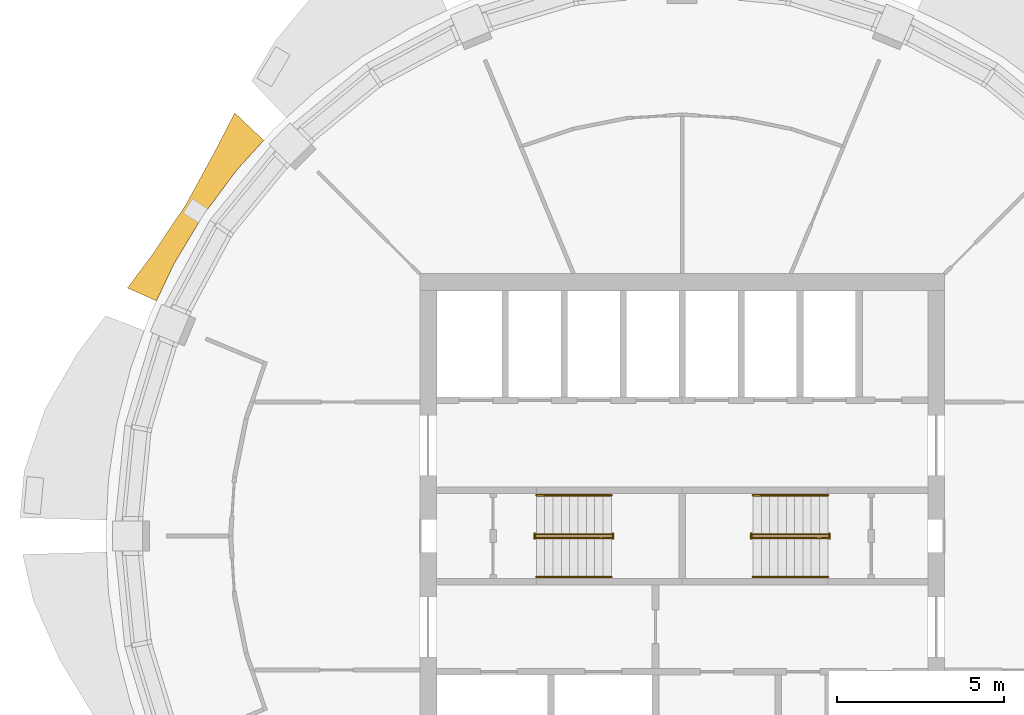
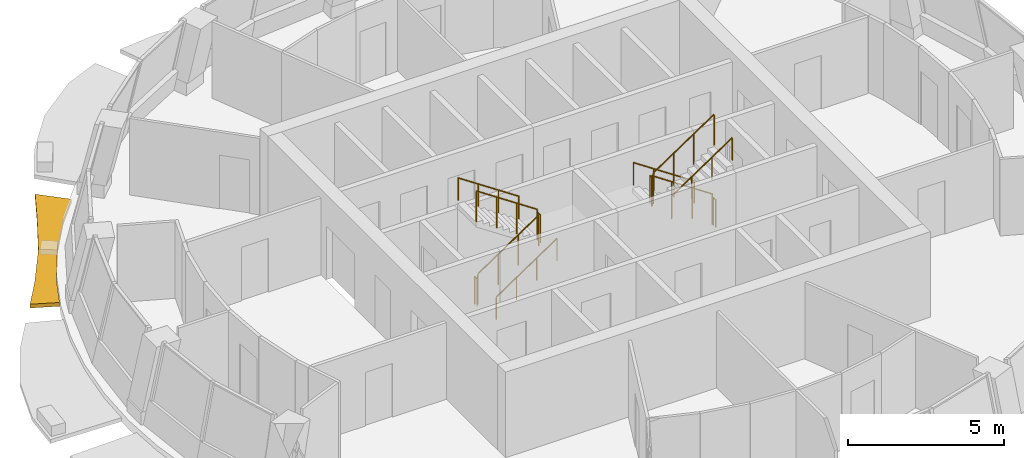
# One storey, part 9 of 11: 12 railings, 1 shading device.
"""IFC4 building model written with IfcOpenShell, lengths in metres."""

from ifc_helpers import new_model, si_unit, direction, frame, origin, origin_2d, place, context, subcontext, project, spatial, polyline, circle, outline, extrude, material, type_object, element, save


model = new_model("IFC4")

# Units and contexts
model_context = context("Model", 3, precision=1e-05, world=origin(), true_north=direction((0.0, 1.0)))
body_context = subcontext(model_context, "Body", "Model", "MODEL_VIEW")
ifc_project = project(units=[si_unit("LENGTHUNIT", "METRE"), si_unit("AREAUNIT", "SQUARE_METRE"), si_unit("VOLUMEUNIT", "CUBIC_METRE"), si_unit("PLANEANGLEUNIT", "RADIAN"), si_unit("MASSUNIT", "GRAM", prefix="KILO")], contexts=[model_context])

# Site, building, storey
site_placement = place(None, origin())
site = spatial("IfcSite", under=ifc_project, at=site_placement, CompositionType="ELEMENT")
building_placement = place(site_placement, origin())
building = spatial("IfcBuilding", under=site, at=building_placement, Name="Polderwave Tower", CompositionType="ELEMENT")
storey_placement = place(building_placement, frame((0.0, 0.0, 204.39990234375)))
storey = spatial("IfcBuildingStorey", under=building, at=storey_placement, Name="L55", CompositionType="ELEMENT", Elevation=204.39990234375)

# Railings
ifc_material_1 = material(Name="Stainless steel", Category="steel")
railing_type_1 = type_object("IfcRailingType", Name="Stair guard 1100", PredefinedType="GUARDRAIL", material=ifc_material_1)
railing_1_placement = place(storey_placement, frame((-4.3740234375, -0.051025390625, 0.04736328125)))
element("IfcRailing", 1, at=railing_1_placement, inside=storey, type_object=railing_type_1, Name="L55 ST-A stair guard 1", PredefinedType="GUARDRAIL", context=body_context, shape_type="SweptSolid", body=[
    extrude(circle(Radius=0.02392578125, at=origin_2d()), frame((0.0, 0.0, 1.1962890625), z_axis=(0.830758306289, 0.0, 0.556633305266), x_axis=(0.0, 1.0, 0.0)), (0.0, 0.0, 1.0), 2.708251953125),
    extrude(circle(Radius=0.02392578125, at=origin_2d()), origin(), (0.0, 0.0, 1.0), 1.172119140625),
    extrude(circle(Radius=0.02392578125, at=origin_2d()), frame((0.75, 0.0, 0.50244140625)), (0.0, 0.0, 1.0), 1.172119140625),
    extrude(circle(Radius=0.02392578125, at=origin_2d()), frame((1.5, 0.0, 1.005126953125)), (0.0, 0.0, 1.0), 1.172119140625),
    extrude(circle(Radius=0.02392578125, at=origin_2d()), frame((2.25, 0.0, 1.507568359375)), (0.0, 0.0, 1.0), 1.172119140625),
])
railing_2_placement = place(storey_placement, frame((-2.073974609375, -0.074951171875, 1.675048828125)))
element("IfcRailing", 2, at=railing_2_placement, inside=storey, type_object=railing_type_1, Name="L55 ST-A stair guard 2", PredefinedType="GUARDRAIL", context=body_context, shape_type="SweptSolid", body=[
    extrude(circle(Radius=0.02392578125, at=origin_2d()), frame((0.0, 0.0, 1.076171875), z_axis=(0.0, 1.0, 0.0), x_axis=(-1.0, 0.0, 0.0)), (0.0, 0.0, 1.0), 0.14990234375),
    extrude(circle(Radius=0.02099609375, at=origin_2d()), origin(), (0.0, 0.0, 1.0), 1.052001953125),
    extrude(circle(Radius=0.02099609375, at=origin_2d()), frame((0.0, 0.14990234375, 0.0)), (0.0, 0.0, 1.0), 1.052001953125),
])
railing_3_placement = place(storey_placement, frame((-2.1240234375, 0.051025390625, 1.722412109375)))
element("IfcRailing", 3, at=railing_3_placement, inside=storey, type_object=railing_type_1, Name="L55 ST-A stair guard 3", PredefinedType="GUARDRAIL", context=body_context, shape_type="SweptSolid", body=[
    extrude(circle(Radius=0.02392578125, at=origin_2d()), frame((0.0, 0.0, 1.1962890625), z_axis=(-0.830758306289, 0.0, 0.556633305266), x_axis=(0.0, -1.0, 0.0)), (0.0, 0.0, 1.0), 2.708251953125),
    extrude(circle(Radius=0.02392578125, at=origin_2d()), origin(), (0.0, 0.0, 1.0), 1.172119140625),
    extrude(circle(Radius=0.02392578125, at=origin_2d()), frame((-0.75, 0.0, 0.50244140625)), (0.0, 0.0, 1.0), 1.172119140625),
    extrude(circle(Radius=0.02392578125, at=origin_2d()), frame((-1.5, 0.0, 1.005126953125)), (0.0, 0.0, 1.0), 1.172119140625),
    extrude(circle(Radius=0.02392578125, at=origin_2d()), frame((-2.25, 0.0, 1.507568359375)), (0.0, 0.0, 1.0), 1.172119140625),
])
railing_4_placement = place(storey_placement, frame((-4.424072265625, -0.074951171875, 0.0)))
element("IfcRailing", 4, at=railing_4_placement, inside=storey, type_object=railing_type_1, Name="L55 ST-A stair guard 4", PredefinedType="GUARDRAIL", context=body_context, shape_type="SweptSolid", body=[
    extrude(circle(Radius=0.02392578125, at=origin_2d()), frame((0.0, 0.0, 1.076171875), z_axis=(0.0, 1.0, 0.0), x_axis=(-1.0, 0.0, 0.0)), (0.0, 0.0, 1.0), 0.14990234375),
    extrude(circle(Radius=0.02099609375, at=origin_2d()), origin(), (0.0, 0.0, 1.0), 1.052001953125),
    extrude(circle(Radius=0.02099609375, at=origin_2d()), frame((0.0, 0.14990234375, 0.0)), (0.0, 0.0, 1.0), 1.052001953125),
])
railing_5_placement = place(storey_placement, frame((4.3740234375, 0.051025390625, 0.04736328125)))
element("IfcRailing", 5, at=railing_5_placement, inside=storey, type_object=railing_type_1, Name="L55 ST-B stair guard 1", PredefinedType="GUARDRAIL", context=body_context, shape_type="SweptSolid", body=[
    extrude(circle(Radius=0.02392578125, at=origin_2d()), frame((0.0, 0.0, 1.1962890625), z_axis=(-0.830758306289, 0.0, 0.556633305266), x_axis=(0.0, -1.0, 0.0)), (0.0, 0.0, 1.0), 2.708251953125),
    extrude(circle(Radius=0.02392578125, at=origin_2d()), origin(), (0.0, 0.0, 1.0), 1.172119140625),
    extrude(circle(Radius=0.02392578125, at=origin_2d()), frame((-0.75, 0.0, 0.50244140625)), (0.0, 0.0, 1.0), 1.172119140625),
    extrude(circle(Radius=0.02392578125, at=origin_2d()), frame((-1.5, 0.0, 1.005126953125)), (0.0, 0.0, 1.0), 1.172119140625),
    extrude(circle(Radius=0.02392578125, at=origin_2d()), frame((-2.25, 0.0, 1.507568359375)), (0.0, 0.0, 1.0), 1.172119140625),
])
railing_6_placement = place(storey_placement, frame((2.073974609375, 0.074951171875, 1.675048828125)))
element("IfcRailing", 6, at=railing_6_placement, inside=storey, type_object=railing_type_1, Name="L55 ST-B stair guard 2", PredefinedType="GUARDRAIL", context=body_context, shape_type="SweptSolid", body=[
    extrude(circle(Radius=0.02392578125, at=origin_2d()), frame((0.0, 0.0, 1.076171875), z_axis=(0.0, -1.0, 0.0), x_axis=(1.0, 0.0, 0.0)), (0.0, 0.0, 1.0), 0.14990234375),
    extrude(circle(Radius=0.02099609375, at=origin_2d()), origin(), (0.0, 0.0, 1.0), 1.052001953125),
    extrude(circle(Radius=0.02099609375, at=origin_2d()), frame((0.0, -0.14990234375, 0.0)), (0.0, 0.0, 1.0), 1.052001953125),
])
railing_7_placement = place(storey_placement, frame((2.1240234375, -0.051025390625, 1.722412109375)))
element("IfcRailing", 7, at=railing_7_placement, inside=storey, type_object=railing_type_1, Name="L55 ST-B stair guard 3", PredefinedType="GUARDRAIL", context=body_context, shape_type="SweptSolid", body=[
    extrude(circle(Radius=0.02392578125, at=origin_2d()), frame((0.0, 0.0, 1.1962890625), z_axis=(0.830758306289, 0.0, 0.556633305266), x_axis=(0.0, 1.0, 0.0)), (0.0, 0.0, 1.0), 2.708251953125),
    extrude(circle(Radius=0.02392578125, at=origin_2d()), origin(), (0.0, 0.0, 1.0), 1.172119140625),
    extrude(circle(Radius=0.02392578125, at=origin_2d()), frame((0.75, 0.0, 0.50244140625)), (0.0, 0.0, 1.0), 1.172119140625),
    extrude(circle(Radius=0.02392578125, at=origin_2d()), frame((1.5, 0.0, 1.005126953125)), (0.0, 0.0, 1.0), 1.172119140625),
    extrude(circle(Radius=0.02392578125, at=origin_2d()), frame((2.25, 0.0, 1.507568359375)), (0.0, 0.0, 1.0), 1.172119140625),
])
railing_8_placement = place(storey_placement, frame((4.424072265625, 0.074951171875, 0.0)))
element("IfcRailing", 8, at=railing_8_placement, inside=storey, type_object=railing_type_1, Name="L55 ST-B stair guard 4", PredefinedType="GUARDRAIL", context=body_context, shape_type="SweptSolid", body=[
    extrude(circle(Radius=0.02392578125, at=origin_2d()), frame((0.0, 0.0, 1.076171875), z_axis=(0.0, -1.0, 0.0), x_axis=(1.0, 0.0, 0.0)), (0.0, 0.0, 1.0), 0.14990234375),
    extrude(circle(Radius=0.02099609375, at=origin_2d()), origin(), (0.0, 0.0, 1.0), 1.052001953125),
    extrude(circle(Radius=0.02099609375, at=origin_2d()), frame((0.0, -0.14990234375, 0.0)), (0.0, 0.0, 1.0), 1.052001953125),
])
railing_type_2 = type_object("IfcRailingType", Name="Stair handrail 900", PredefinedType="HANDRAIL", material=ifc_material_1)
railing_9_placement = place(storey_placement, frame((-4.3740234375, -1.22509765625, 0.16748046875)))
element("IfcRailing", 9, at=railing_9_placement, inside=storey, type_object=railing_type_2, Name="L55 ST-A stair handrail 1", PredefinedType="HANDRAIL", context=body_context, shape_type="SweptSolid", body=[
    extrude(circle(Radius=0.02392578125, at=origin_2d()), frame((0.0, 0.0, 0.8759765625), z_axis=(0.830758306289, 0.0, 0.556633305266), x_axis=(0.0, 1.0, 0.0)), (0.0, 0.0, 1.0), 2.708251953125),
    extrude(circle(Radius=0.02099609375, at=origin_2d()), origin(), (0.0, 0.0, 1.0), 0.851806640625),
    extrude(circle(Radius=0.02099609375, at=origin_2d()), frame((0.75, 0.0, 0.50244140625)), (0.0, 0.0, 1.0), 0.851806640625),
    extrude(circle(Radius=0.02099609375, at=origin_2d()), frame((1.5, 0.0, 1.005126953125)), (0.0, 0.0, 1.0), 0.851806640625),
    extrude(circle(Radius=0.02099609375, at=origin_2d()), frame((2.25, 0.0, 1.507568359375)), (0.0, 0.0, 1.0), 0.851806640625),
])
for number, where, name in (
    (10, (-2.1240234375, 1.22509765625, 1.842529296875), "L55 ST-A stair handrail 2"),
    (11, (4.3740234375, 1.22509765625, 0.16748046875), "L55 ST-B stair handrail 1"),
):
    element("IfcRailing", number, at=place(storey_placement, frame(where)), inside=storey, type_object=railing_type_2, Name=name, PredefinedType="HANDRAIL", context=body_context, shape_type="SweptSolid", body=[
        extrude(circle(Radius=0.02392578125, at=origin_2d()), frame((0.0, 0.0, 0.8759765625), z_axis=(-0.830758306289, 0.0, 0.556633305266), x_axis=(0.0, -1.0, 0.0)), (0.0, 0.0, 1.0), 2.708251953125),
        extrude(circle(Radius=0.02099609375, at=origin_2d()), origin(), (0.0, 0.0, 1.0), 0.851806640625),
        extrude(circle(Radius=0.02099609375, at=origin_2d()), frame((-0.75, 0.0, 0.50244140625)), (0.0, 0.0, 1.0), 0.851806640625),
        extrude(circle(Radius=0.02099609375, at=origin_2d()), frame((-1.5, 0.0, 1.005126953125)), (0.0, 0.0, 1.0), 0.851806640625),
        extrude(circle(Radius=0.02099609375, at=origin_2d()), frame((-2.25, 0.0, 1.507568359375)), (0.0, 0.0, 1.0), 0.851806640625),
    ])
railing_10_placement = place(storey_placement, frame((2.1240234375, -1.22509765625, 1.842529296875)))
element("IfcRailing", 12, at=railing_10_placement, inside=storey, type_object=railing_type_2, Name="L55 ST-B stair handrail 2", PredefinedType="HANDRAIL", context=body_context, shape_type="SweptSolid", body=[
    extrude(circle(Radius=0.02392578125, at=origin_2d()), frame((0.0, 0.0, 0.8759765625), z_axis=(0.830758306289, 0.0, 0.556633305266), x_axis=(0.0, 1.0, 0.0)), (0.0, 0.0, 1.0), 2.708251953125),
    extrude(circle(Radius=0.02099609375, at=origin_2d()), origin(), (0.0, 0.0, 1.0), 0.851806640625),
    extrude(circle(Radius=0.02099609375, at=origin_2d()), frame((0.75, 0.0, 0.50244140625)), (0.0, 0.0, 1.0), 0.851806640625),
    extrude(circle(Radius=0.02099609375, at=origin_2d()), frame((1.5, 0.0, 1.005126953125)), (0.0, 0.0, 1.0), 0.851806640625),
    extrude(circle(Radius=0.02099609375, at=origin_2d()), frame((2.25, 0.0, 1.507568359375)), (0.0, 0.0, 1.0), 0.851806640625),
])

# Shading device
ifc_material_2 = material(Name="Terracotta", Category="masonry")
shading_device_type = type_object("IfcShadingDeviceType", Name="Terracotta sunshade band", PredefinedType="USERDEFINED", material=ifc_material_2)
shading_device_placement = place(storey_placement, frame((0.0, 0.0, -0.349853515625)))
element("IfcShadingDevice", 13, at=shading_device_placement, inside=storey, type_object=shading_device_type, Name="Sunshade band L55 7", ObjectType="SUNSHADE", PredefinedType="USERDEFINED", context=body_context, shape_type="SweptSolid", body=[
    extrude(outline(polyline([(-12.55712890625, 11.875244140625), (-13.373046875, 10.97509765625), (-14.384521484375, 9.611328125), (-15.257080078125, 8.1552734375), (-15.77685546875, 7.056640625), (-16.6455078125, 7.4453125), (-15.871826171875, 8.483642578125), (-14.89208984375, 9.95068359375), (-14.0361328125, 11.519287109375), (-13.4267578125, 12.697998046875), (-12.55712890625, 11.875244140625)])), origin(), (0.0, 0.0, 1.0), 0.14990234375),
])

save(model, "model.ifc")
